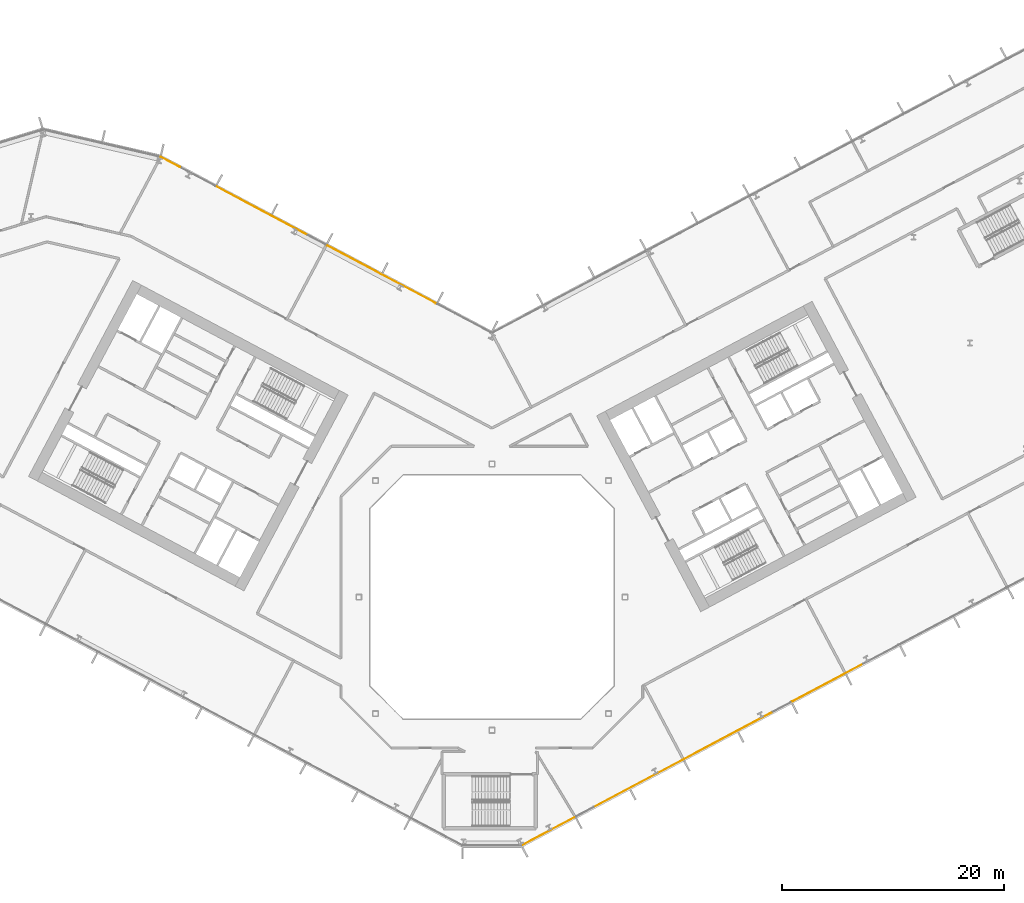
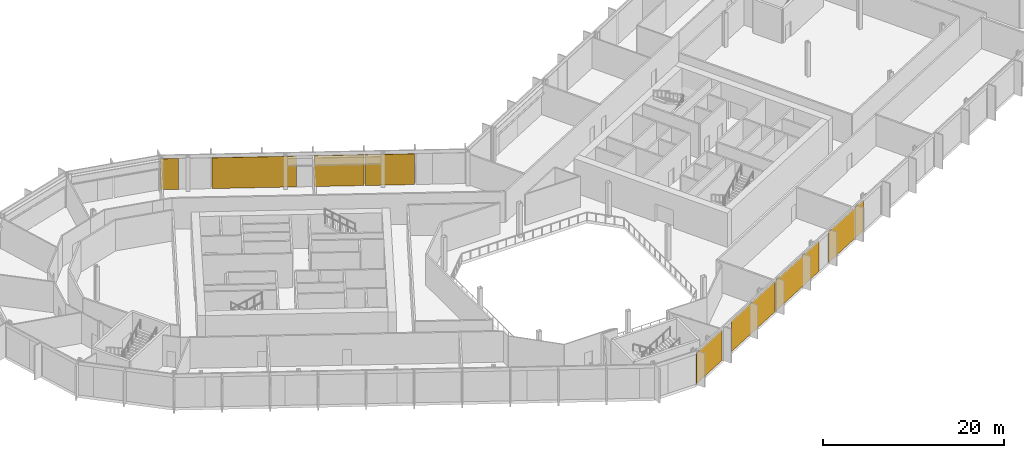
# One storey, part 26 of 31: 8 coverings, 2 elements without a shape of their own.
"""IFC4 building model written with IfcOpenShell, lengths in metres."""

from ifc_helpers import new_model, si_unit, direction, frame, origin, origin_2d, place, context, subcontext, project, spatial, rectangle, extrude, material, layer, layer_set, type_object, element, aggregate, save


model = new_model("IFC4")

# Units and contexts
model_context = context("Model", 3, precision=1e-05, world=origin(), true_north=direction((0.0, 1.0)))
body_context = subcontext(model_context, "Body", "Model", "MODEL_VIEW")
ifc_project = project(units=[si_unit("LENGTHUNIT", "METRE"), si_unit("AREAUNIT", "SQUARE_METRE"), si_unit("VOLUMEUNIT", "CUBIC_METRE"), si_unit("PLANEANGLEUNIT", "RADIAN"), si_unit("MASSUNIT", "GRAM", prefix="KILO")], contexts=[model_context])

# Site, building, storey
site_placement = place(None, origin())
site = spatial("IfcSite", under=ifc_project, at=site_placement, CompositionType="ELEMENT")
building_placement = place(site_placement, origin())
building = spatial("IfcBuilding", under=site, at=building_placement, Name="Cormorant Relay Tower", CompositionType="ELEMENT")
storey_placement = place(building_placement, frame((0.0, 0.0, 107.60009765625)))
storey = spatial("IfcBuildingStorey", under=building, at=storey_placement, Name="L21", CompositionType="ELEMENT", Elevation=107.60009765625)

# Curtain wall, coverings
ifc_material_1 = material(Name="Aluminium 6063-T6 anodised bronze", Category="aluminium")
ifc_layer_1 = layer(ifc_material_1, 0.199951171875)
ifc_layer_set_1 = layer_set([ifc_layer_1], Name="CW1 unitised bronze curtain wall with vertical fins")
curtain_wall_type = type_object("IfcCurtainWallType", Name="CW1 unitised bronze curtain wall with vertical fins", PredefinedType="NOTDEFINED", material=ifc_layer_set_1)
curtain_wall_1_placement = place(storey_placement, origin())
curtain_wall_1 = element("IfcCurtainWall", 1, at=curtain_wall_1_placement, inside=storey, type_object=curtain_wall_type, Name="CW1 curtain wall 2", PredefinedType="NOTDEFINED")
ifc_material_2 = material(Name="Pale bronze anodised aluminium insulated panel", Category="aluminium")
ifc_layer_2 = layer(ifc_material_2, 0.0400390625)
ifc_layer_set_2 = layer_set([ifc_layer_2], Name="CW1 pale bronze insulated panel 40")
covering_type = type_object("IfcCoveringType", Name="CW1 pale bronze insulated panel 40", PredefinedType="CLADDING", material=ifc_layer_set_2)
covering_1_placement = place(storey_placement, frame((5.091552734375, -21.099365234375, 0.0), z_axis=(0.0, 0.0, 1.0), x_axis=(0.882947592859, 0.469471562786, 0.0)))
covering_1 = element("IfcCovering", 2, at=covering_1_placement, type_object=covering_type, Name="CW1 panel S00", PredefinedType="CLADDING", context=body_context, shape_type="SweptSolid", body=[
    extrude(rectangle(XDim=5.36181640625, YDim=0.0400390625, at=origin_2d()), origin(), (0.0, 0.0, 1.0), 4.14990234375),
])
covering_2_placement = place(storey_placement, frame((13.186279296875, -16.79541015625, 0.0), z_axis=(0.0, 0.0, 1.0), x_axis=(0.882947592859, 0.469471562786, 0.0)))
covering_2 = element("IfcCovering", 3, at=covering_2_placement, type_object=covering_type, Name="CW1 panel S02", PredefinedType="CLADDING", context=body_context, shape_type="SweptSolid", body=[
    extrude(rectangle(XDim=9.07373046875, YDim=0.0400390625, at=origin_2d()), origin(), (0.0, 0.0, 1.0), 4.14990234375),
])
covering_3_placement = place(storey_placement, frame((21.330322265625, -12.465087890625, 0.0), z_axis=(0.0, 0.0, 1.0), x_axis=(0.882947592859, 0.469471562786, 0.0)))
covering_3 = element("IfcCovering", 4, at=covering_3_placement, type_object=covering_type, Name="CW1 panel S03", PredefinedType="CLADDING", context=body_context, shape_type="SweptSolid", body=[
    extrude(rectangle(XDim=9.07373046875, YDim=0.0400390625, at=origin_2d()), origin(), (0.0, 0.0, 1.0), 4.14990234375),
])
covering_4_placement = place(storey_placement, frame((30.26904296875, -7.71240234375, 0.0), z_axis=(0.0, 0.0, 1.0), x_axis=(0.882947592859, 0.469471562786, 0.0)))
covering_4 = element("IfcCovering", 5, at=covering_4_placement, type_object=covering_type, Name="CW1 panel S05", PredefinedType="CLADDING", context=body_context, shape_type="SweptSolid", body=[
    extrude(rectangle(XDim=7.273681640625, YDim=0.0400390625, at=origin_2d()), origin(), (0.0, 0.0, 1.0), 4.14990234375),
])
aggregate(curtain_wall_1, [covering_1, covering_2, covering_3, covering_4])

curtain_wall_2_placement = place(storey_placement, origin())
curtain_wall_2 = element("IfcCurtainWall", 6, at=curtain_wall_2_placement, inside=storey, type_object=curtain_wall_type, Name="CW1 curtain wall 7", PredefinedType="NOTDEFINED")
covering_5_placement = place(storey_placement, frame((-7.458984375, 27.772705078125, 0.0), z_axis=(0.0, 0.0, 1.0), x_axis=(-0.882947592859, 0.469471562786, 0.0)))
covering_5 = element("IfcCovering", 7, at=covering_5_placement, type_object=covering_type, Name="CW1 panel S02", PredefinedType="CLADDING", context=body_context, shape_type="SweptSolid", body=[
    extrude(rectangle(XDim=5.489013671875, YDim=0.0400390625, at=origin_2d()), origin(), (0.0, 0.0, 1.0), 4.14990234375),
])
covering_6_placement = place(storey_placement, frame((-12.43798828125, 30.419921875, 0.0), z_axis=(0.0, 0.0, 1.0), x_axis=(-0.882947592859, 0.469471562786, 0.0)))
covering_6 = element("IfcCovering", 8, at=covering_6_placement, type_object=covering_type, Name="CW1 panel S03", PredefinedType="CLADDING", context=body_context, shape_type="SweptSolid", body=[
    extrude(rectangle(XDim=5.489013671875, YDim=0.0400390625, at=origin_2d()), origin(), (0.0, 0.0, 1.0), 4.14990234375),
])
covering_7_placement = place(storey_placement, frame((-20.701171875, 34.813720703125, 0.0), z_axis=(0.0, 0.0, 1.0), x_axis=(-0.882947592859, 0.469471562786, 0.0)))
covering_7 = element("IfcCovering", 9, at=covering_7_placement, type_object=covering_type, Name="CW1 panel S05", PredefinedType="CLADDING", context=body_context, shape_type="SweptSolid", body=[
    extrude(rectangle(XDim=9.327880859375, YDim=0.0400390625, at=origin_2d()), origin(), (0.0, 0.0, 1.0), 4.14990234375),
])
covering_8_placement = place(storey_placement, frame((-28.997314453125, 39.224853515625, 0.0), z_axis=(0.0, 0.0, 1.0), x_axis=(-0.882947592859, 0.469471562786, 0.0)))
covering_8 = element("IfcCovering", 10, at=covering_8_placement, type_object=covering_type, Name="CW1 panel S07", PredefinedType="CLADDING", context=body_context, shape_type="SweptSolid", body=[
    extrude(rectangle(XDim=1.964111328125, YDim=0.0400390625, at=origin_2d()), origin(), (0.0, 0.0, 1.0), 4.14990234375),
])
aggregate(curtain_wall_2, [covering_5, covering_6, covering_7, covering_8])

save(model, "model.ifc")
